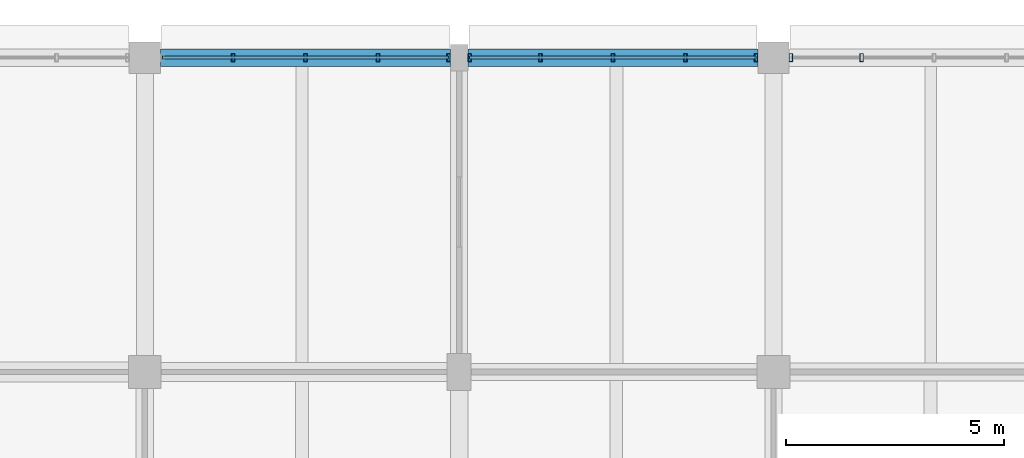
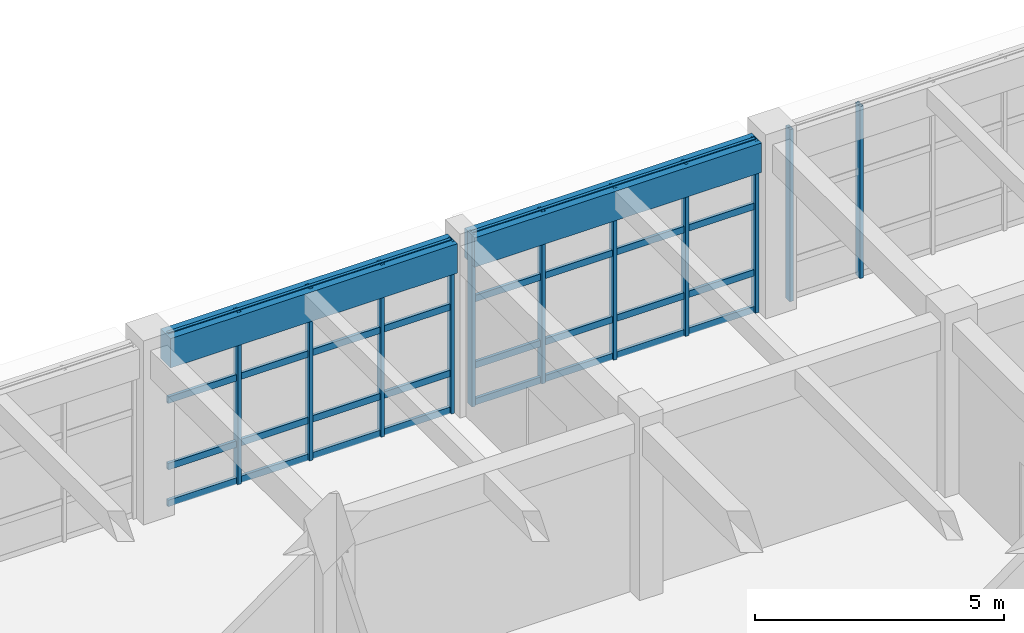
# One storey, part 83 of 171: 19 members, 2 beams, 3 elements without a shape of their own.
"""IFC4 building model written with IfcOpenShell, lengths in metres."""

from ifc_helpers import new_model, si_unit, direction, frame, origin, origin_2d, place, context, subcontext, project, spatial, rectangle, hollow_rectangle, extrude, material, material_profile, profile_set, type_object, element, aggregate, save


model = new_model("IFC4")

# Units and contexts
model_context = context("Model", 3, precision=1e-05, world=origin(), true_north=direction((0.0, 1.0)))
body_context = subcontext(model_context, "Body", "Model", "MODEL_VIEW")
ifc_project = project(units=[si_unit("LENGTHUNIT", "METRE"), si_unit("AREAUNIT", "SQUARE_METRE"), si_unit("VOLUMEUNIT", "CUBIC_METRE"), si_unit("PLANEANGLEUNIT", "RADIAN"), si_unit("MASSUNIT", "GRAM", prefix="KILO")], contexts=[model_context])

# Site, building, storey
site_placement = place(None, origin())
site = spatial("IfcSite", under=ifc_project, at=site_placement, CompositionType="ELEMENT")
building_placement = place(site_placement, origin())
building = spatial("IfcBuilding", under=site, at=building_placement, Name="Thalmaran Polytechnic", CompositionType="ELEMENT")
storey_placement = place(building_placement, frame((0.0, 0.0, 5.39990234375)))
storey = spatial("IfcBuildingStorey", under=building, at=storey_placement, Name="L01", CompositionType="ELEMENT", Elevation=5.39990234375)

# Beams
ifc_material_1 = material(Name="Concrete C40/50", Category="concrete")
ifc_material_profile_1 = material_profile(ifc_material_1, rectangle(XDim=0.39990234375, YDim=0.719970703125, at=origin_2d()), Name="RC 400x720")
ifc_profile_set_1 = profile_set([ifc_material_profile_1], Name="Concrete C40/50")
beam_type = type_object("IfcBeamType", Name="BM-SP01", PredefinedType="SPANDREL", material=ifc_profile_set_1)
beam_1_placement = place(storey_placement, frame((93.9599609375, 122.39990234375, 3.85009765625), z_axis=(1.0, 0.0, 0.0), x_axis=(0.0, 1.0, 0.0)))
element("IfcBeam", 1, at=beam_1_placement, inside=storey, type_object=beam_type, Name="Grid Beam SP01 L01 X(13,17)", PredefinedType="SPANDREL", context=body_context, shape_type="SweptSolid", body=[
    extrude(rectangle(XDim=0.39990234375, YDim=0.719970703125, at=origin_2d()), origin(), (0.0, 0.0, 1.0), 6.64013671875),
])
beam_2_placement = place(storey_placement, frame((101.0, 122.39990234375, 3.85009765625), z_axis=(1.0, 0.0, 0.0), x_axis=(0.0, 1.0, 0.0)))
element("IfcBeam", 2, at=beam_2_placement, inside=storey, type_object=beam_type, Name="Grid Beam SP01 L01 X(14,17)", PredefinedType="SPANDREL", context=body_context, shape_type="SweptSolid", body=[
    extrude(rectangle(XDim=0.39990234375, YDim=0.719970703125, at=origin_2d()), origin(), (0.0, 0.0, 1.0), 6.639892578125),
])

# Curtain wall, members
ifc_material_2 = material(Name="Aluminium 6063-T6", Category="aluminium")
curtain_wall_type = type_object("IfcCurtainWallType", Name="CW-UC02", PredefinedType="USERDEFINED", material=ifc_material_2)
curtain_wall_1_placement = place(storey_placement, origin())
curtain_wall_1 = element("IfcCurtainWall", 3, at=curtain_wall_1_placement, inside=storey, type_object=curtain_wall_type, Name="Curtain Wall CW-L01-092", ObjectType="UNITISED CURTAIN WALL", PredefinedType="USERDEFINED")
ifc_material_profile_2 = material_profile(ifc_material_2, hollow_rectangle(XDim=0.080078125, YDim=0.179931640625, WallThickness=0.0048828125, at=origin_2d()), Name="RHS 180x80x5.0")
ifc_profile_set_2 = profile_set([ifc_material_profile_2], Name="Aluminium 6063-T6")
member_type_1 = type_object("IfcMemberType", Name="CW-MUL1", PredefinedType="MULLION", material=ifc_profile_set_2)
member_1_placement = place(storey_placement, frame((95.6201171875, 122.39990234375, 0.0), z_axis=(0.0, 0.0, 1.0), x_axis=(1.0, 0.0, 0.0)))
member_1 = element("IfcMember", 4, at=member_1_placement, type_object=member_type_1, Name="CW-L01-092 Mullion 2", PredefinedType="MULLION", context=body_context, shape_type="SweptSolid", body=[
    extrude(hollow_rectangle(XDim=0.080078125, YDim=0.179931640625, WallThickness=0.0048828125, at=origin_2d()), origin(), (0.0, 0.0, 1.0), 4.210205078125),
])
member_2_placement = place(storey_placement, frame((97.280029296875, 122.39990234375, 0.0), z_axis=(0.0, 0.0, 1.0), x_axis=(1.0, 0.0, 0.0)))
member_2 = element("IfcMember", 5, at=member_2_placement, type_object=member_type_1, Name="CW-L01-092 Mullion 3", PredefinedType="MULLION", context=body_context, shape_type="SweptSolid", body=[
    extrude(hollow_rectangle(XDim=0.080078125, YDim=0.179931640625, WallThickness=0.0048828125, at=origin_2d()), origin(), (0.0, 0.0, 1.0), 4.210205078125),
])
member_3_placement = place(storey_placement, frame((98.93994140625, 122.39990234375, 0.0), z_axis=(0.0, 0.0, 1.0), x_axis=(1.0, 0.0, 0.0)))
member_3 = element("IfcMember", 6, at=member_3_placement, type_object=member_type_1, Name="CW-L01-092 Mullion 4", PredefinedType="MULLION", context=body_context, shape_type="SweptSolid", body=[
    extrude(hollow_rectangle(XDim=0.080078125, YDim=0.179931640625, WallThickness=0.0048828125, at=origin_2d()), origin(), (0.0, 0.0, 1.0), 4.210205078125),
])
member_4_placement = place(storey_placement, frame((100.56005859375, 122.39990234375, 0.0), z_axis=(0.0, 0.0, 1.0), x_axis=(1.0, 0.0, 0.0)))
member_4 = element("IfcMember", 7, at=member_4_placement, type_object=member_type_1, Name="CW-L01-092 Mullion 5", PredefinedType="MULLION", context=body_context, shape_type="SweptSolid", body=[
    extrude(hollow_rectangle(XDim=0.080078125, YDim=0.179931640625, WallThickness=0.0048828125, at=origin_2d()), origin(), (0.0, 0.0, 1.0), 4.210205078125),
])

curtain_wall_2_placement = place(storey_placement, origin())
curtain_wall_2 = element("IfcCurtainWall", 8, at=curtain_wall_2_placement, inside=storey, type_object=curtain_wall_type, Name="Curtain Wall CW-L01-093", ObjectType="UNITISED CURTAIN WALL", PredefinedType="USERDEFINED")
member_5_placement = place(storey_placement, frame((101.0400390625, 122.39990234375, 0.0), z_axis=(0.0, 0.0, 1.0), x_axis=(1.0, 0.0, 0.0)))
member_5 = element("IfcMember", 9, at=member_5_placement, type_object=member_type_1, Name="CW-L01-093 Mullion 1", PredefinedType="MULLION", context=body_context, shape_type="SweptSolid", body=[
    extrude(hollow_rectangle(XDim=0.080078125, YDim=0.179931640625, WallThickness=0.0048828125, at=origin_2d()), origin(), (0.0, 0.0, 1.0), 4.210205078125),
])
member_6_placement = place(storey_placement, frame((102.659912109375, 122.39990234375, 0.0), z_axis=(0.0, 0.0, 1.0), x_axis=(1.0, 0.0, 0.0)))
member_6 = element("IfcMember", 10, at=member_6_placement, type_object=member_type_1, Name="CW-L01-093 Mullion 2", PredefinedType="MULLION", context=body_context, shape_type="SweptSolid", body=[
    extrude(hollow_rectangle(XDim=0.080078125, YDim=0.179931640625, WallThickness=0.0048828125, at=origin_2d()), origin(), (0.0, 0.0, 1.0), 4.210205078125),
])
member_7_placement = place(storey_placement, frame((104.320068359375, 122.39990234375, 0.0), z_axis=(0.0, 0.0, 1.0), x_axis=(1.0, 0.0, 0.0)))
member_7 = element("IfcMember", 11, at=member_7_placement, type_object=member_type_1, Name="CW-L01-093 Mullion 3", PredefinedType="MULLION", context=body_context, shape_type="SweptSolid", body=[
    extrude(hollow_rectangle(XDim=0.080078125, YDim=0.179931640625, WallThickness=0.0048828125, at=origin_2d()), origin(), (0.0, 0.0, 1.0), 4.210205078125),
])
member_8_placement = place(storey_placement, frame((105.97998046875, 122.39990234375, 0.0), z_axis=(0.0, 0.0, 1.0), x_axis=(1.0, 0.0, 0.0)))
member_8 = element("IfcMember", 12, at=member_8_placement, type_object=member_type_1, Name="CW-L01-093 Mullion 4", PredefinedType="MULLION", context=body_context, shape_type="SweptSolid", body=[
    extrude(hollow_rectangle(XDim=0.080078125, YDim=0.179931640625, WallThickness=0.0048828125, at=origin_2d()), origin(), (0.0, 0.0, 1.0), 4.210205078125),
])
member_9_placement = place(storey_placement, frame((107.60009765625, 122.39990234375, 0.0), z_axis=(0.0, 0.0, 1.0), x_axis=(1.0, 0.0, 0.0)))
member_9 = element("IfcMember", 13, at=member_9_placement, type_object=member_type_1, Name="CW-L01-093 Mullion 5", PredefinedType="MULLION", context=body_context, shape_type="SweptSolid", body=[
    extrude(hollow_rectangle(XDim=0.080078125, YDim=0.179931640625, WallThickness=0.0048828125, at=origin_2d()), origin(), (0.0, 0.0, 1.0), 4.210205078125),
])

curtain_wall_3_placement = place(storey_placement, origin())
curtain_wall_3 = element("IfcCurtainWall", 14, at=curtain_wall_3_placement, inside=storey, type_object=curtain_wall_type, Name="Curtain Wall CW-L01-094", ObjectType="UNITISED CURTAIN WALL", PredefinedType="USERDEFINED")
member_10_placement = place(storey_placement, frame((108.39990234375, 122.39990234375, 0.0), z_axis=(0.0, 0.0, 1.0), x_axis=(1.0, 0.0, 0.0)))
member_10 = element("IfcMember", 15, at=member_10_placement, type_object=member_type_1, Name="CW-L01-094 Mullion 1", PredefinedType="MULLION", context=body_context, shape_type="SweptSolid", body=[
    extrude(hollow_rectangle(XDim=0.080078125, YDim=0.179931640625, WallThickness=0.0048828125, at=origin_2d()), origin(), (0.0, 0.0, 1.0), 4.210205078125),
])
member_11_placement = place(storey_placement, frame((110.02001953125, 122.39990234375, 0.0), z_axis=(0.0, 0.0, 1.0), x_axis=(1.0, 0.0, 0.0)))
member_11 = element("IfcMember", 16, at=member_11_placement, type_object=member_type_1, Name="CW-L01-094 Mullion 2", PredefinedType="MULLION", context=body_context, shape_type="SweptSolid", body=[
    extrude(hollow_rectangle(XDim=0.080078125, YDim=0.179931640625, WallThickness=0.0048828125, at=origin_2d()), origin(), (0.0, 0.0, 1.0), 4.210205078125),
])
aggregate(curtain_wall_3, [member_10, member_11])

# Member
ifc_material_profile_3 = material_profile(ifc_material_2, hollow_rectangle(XDim=0.070068359375, YDim=0.159912109375, WallThickness=0.00390625, at=origin_2d()), Name="AL 160x70x4.0")
ifc_profile_set_3 = profile_set([ifc_material_profile_3], Name="Aluminium 6063-T6")
member_type_2 = type_object("IfcMemberType", Name="CW-TRN1", PredefinedType="USERDEFINED", material=ifc_profile_set_3)
member_12_placement = place(storey_placement, frame((94.0, 122.39990234375, 0.06005859375), z_axis=(1.0, 0.0, 0.0), x_axis=(0.0, 1.0, 0.0)))
member_12 = element("IfcMember", 17, at=member_12_placement, type_object=member_type_2, Name="CW-L01-092 Transom 1", ObjectType="TRANSOM", PredefinedType="USERDEFINED", context=body_context, shape_type="SweptSolid", body=[
    extrude(hollow_rectangle(XDim=0.070068359375, YDim=0.159912109375, WallThickness=0.00390625, at=origin_2d()), origin(), (0.0, 0.0, 1.0), 6.56005859375),
])

member_13_placement = place(storey_placement, frame((94.0, 122.39990234375, 0.960205078125), z_axis=(1.0, 0.0, 0.0), x_axis=(0.0, 1.0, 0.0)))
member_13 = element("IfcMember", 18, at=member_13_placement, type_object=member_type_2, Name="CW-L01-092 Transom 2", ObjectType="TRANSOM", PredefinedType="USERDEFINED", context=body_context, shape_type="SweptSolid", body=[
    extrude(hollow_rectangle(XDim=0.070068359375, YDim=0.159912109375, WallThickness=0.00390625, at=origin_2d()), origin(), (0.0, 0.0, 1.0), 6.56005859375),
])

member_14_placement = place(storey_placement, frame((94.0, 122.39990234375, 2.585205078125), z_axis=(1.0, 0.0, 0.0), x_axis=(0.0, 1.0, 0.0)))
member_14 = element("IfcMember", 19, at=member_14_placement, type_object=member_type_2, Name="CW-L01-092 Transom 3", ObjectType="TRANSOM", PredefinedType="USERDEFINED", context=body_context, shape_type="SweptSolid", body=[
    extrude(hollow_rectangle(XDim=0.070068359375, YDim=0.159912109375, WallThickness=0.00390625, at=origin_2d()), origin(), (0.0, 0.0, 1.0), 6.56005859375),
])

member_15_placement = place(storey_placement, frame((94.0, 122.39990234375, 4.150146484375), z_axis=(1.0, 0.0, 0.0), x_axis=(0.0, 1.0, 0.0)))
member_15 = element("IfcMember", 20, at=member_15_placement, type_object=member_type_2, Name="CW-L01-092 Transom 4", ObjectType="TRANSOM", PredefinedType="USERDEFINED", context=body_context, shape_type="SweptSolid", body=[
    extrude(hollow_rectangle(XDim=0.070068359375, YDim=0.159912109375, WallThickness=0.00390625, at=origin_2d()), origin(), (0.0, 0.0, 1.0), 6.56005859375),
])

aggregate(curtain_wall_1, [member_1, member_2, member_3, member_4, member_12, member_13, member_14, member_15])

member_16_placement = place(storey_placement, frame((101.0400390625, 122.39990234375, 0.06005859375), z_axis=(1.0, 0.0, 0.0), x_axis=(0.0, 1.0, 0.0)))
member_16 = element("IfcMember", 21, at=member_16_placement, type_object=member_type_2, Name="CW-L01-093 Transom 1", ObjectType="TRANSOM", PredefinedType="USERDEFINED", context=body_context, shape_type="SweptSolid", body=[
    extrude(hollow_rectangle(XDim=0.070068359375, YDim=0.159912109375, WallThickness=0.00390625, at=origin_2d()), origin(), (0.0, 0.0, 1.0), 6.56005859375),
])

member_17_placement = place(storey_placement, frame((101.0400390625, 122.39990234375, 0.960205078125), z_axis=(1.0, 0.0, 0.0), x_axis=(0.0, 1.0, 0.0)))
member_17 = element("IfcMember", 22, at=member_17_placement, type_object=member_type_2, Name="CW-L01-093 Transom 2", ObjectType="TRANSOM", PredefinedType="USERDEFINED", context=body_context, shape_type="SweptSolid", body=[
    extrude(hollow_rectangle(XDim=0.070068359375, YDim=0.159912109375, WallThickness=0.00390625, at=origin_2d()), origin(), (0.0, 0.0, 1.0), 6.56005859375),
])

member_18_placement = place(storey_placement, frame((101.0400390625, 122.39990234375, 2.585205078125), z_axis=(1.0, 0.0, 0.0), x_axis=(0.0, 1.0, 0.0)))
member_18 = element("IfcMember", 23, at=member_18_placement, type_object=member_type_2, Name="CW-L01-093 Transom 3", ObjectType="TRANSOM", PredefinedType="USERDEFINED", context=body_context, shape_type="SweptSolid", body=[
    extrude(hollow_rectangle(XDim=0.070068359375, YDim=0.159912109375, WallThickness=0.00390625, at=origin_2d()), origin(), (0.0, 0.0, 1.0), 6.56005859375),
])

member_19_placement = place(storey_placement, frame((101.0400390625, 122.39990234375, 4.150146484375), z_axis=(1.0, 0.0, 0.0), x_axis=(0.0, 1.0, 0.0)))
member_19 = element("IfcMember", 24, at=member_19_placement, type_object=member_type_2, Name="CW-L01-093 Transom 4", ObjectType="TRANSOM", PredefinedType="USERDEFINED", context=body_context, shape_type="SweptSolid", body=[
    extrude(hollow_rectangle(XDim=0.070068359375, YDim=0.159912109375, WallThickness=0.00390625, at=origin_2d()), origin(), (0.0, 0.0, 1.0), 6.56005859375),
])

aggregate(curtain_wall_2, [member_5, member_6, member_7, member_8, member_9, member_16, member_17, member_18, member_19])

save(model, "model.ifc")
